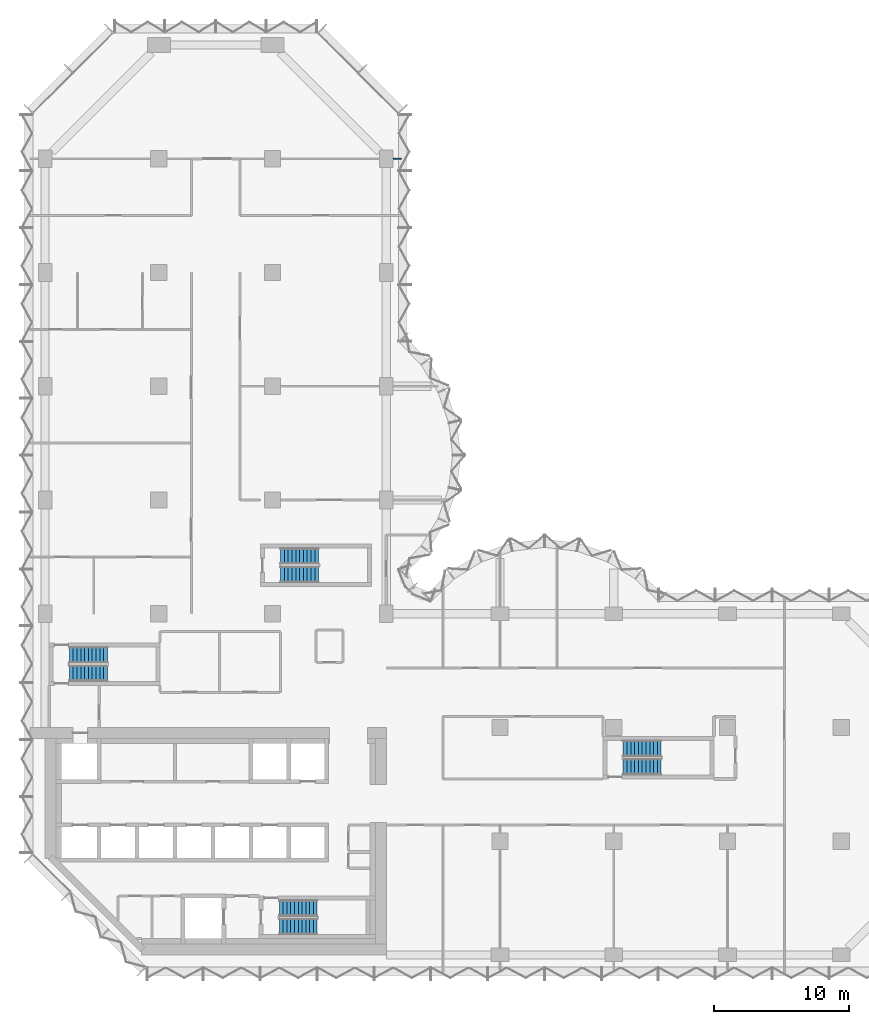
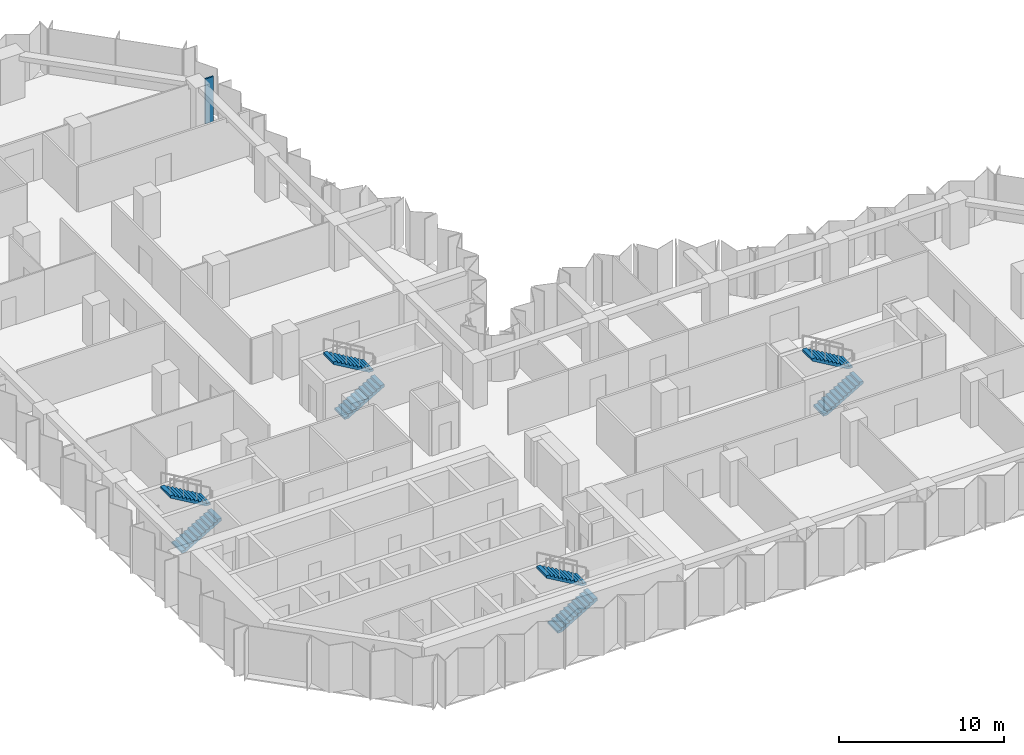
# One storey, part 11 of 13: 8 stair flights, 1 wall, 4 elements without a shape of their own.
"""IFC4 building model written with IfcOpenShell, lengths in metres."""

from ifc_helpers import new_model, si_unit, direction, frame, frame_2d, origin, place, context, subcontext, project, spatial, polyline, rectangle, outline, extrude, material, layer, layer_set, type_object, element, aggregate, save


model = new_model("IFC4")

# Units and contexts
model_context = context("Model", 3, precision=1e-05, world=origin(), true_north=direction((0.0, 1.0)))
body_context = subcontext(model_context, "Body", "Model", "MODEL_VIEW")
ifc_project = project(units=[si_unit("LENGTHUNIT", "METRE"), si_unit("AREAUNIT", "SQUARE_METRE"), si_unit("VOLUMEUNIT", "CUBIC_METRE"), si_unit("PLANEANGLEUNIT", "RADIAN"), si_unit("MASSUNIT", "GRAM", prefix="KILO")], contexts=[model_context])

# Site, building, storey
site_placement = place(None, origin())
site = spatial("IfcSite", under=ifc_project, at=site_placement, CompositionType="ELEMENT")
building_placement = place(site_placement, origin())
building = spatial("IfcBuilding", under=site, at=building_placement, Name="Brevane Broadcast Tower", CompositionType="ELEMENT")
storey_placement = place(building_placement, frame((0.0, 0.0, 116.89990234375)))
storey = spatial("IfcBuildingStorey", under=building, at=storey_placement, Name="L28", CompositionType="ELEMENT", Elevation=116.89990234375)

# Wall
ifc_material_1 = material(Name="Gypsum board partition")
ifc_layer = layer(ifc_material_1, 0.10009765625)
ifc_layer_set = layer_set([ifc_layer], Name="PARTITION 100 STUD")
wall_type = type_object("IfcWallType", Name="PARTITION 100 STUD", PredefinedType="PARTITIONING", material=ifc_layer_set)
wall_placement = place(storey_placement, frame((26.300048828125, 58.800048828125, 0.0), z_axis=(0.0, 0.0, 1.0), x_axis=(-1.0, 0.0, 0.0)))
element("IfcWall", 1, at=wall_placement, inside=storey, type_object=wall_type, Name="Partition G08-055", PredefinedType="PARTITIONING", context=body_context, shape_type="SweptSolid", body=[
    extrude(rectangle(XDim=0.580078125, YDim=0.10009765625, at=frame_2d((0.2900390625, 0.0))), origin(), (0.0, 0.0, 1.0), 3.330078125),
])

# Stair, stair flights
ifc_material_2 = material(Name="Concrete C50/60", Category="concrete")
stair_type = type_object("IfcStairType", Name="Exit stair 22 risers", PredefinedType="HALF_TURN_STAIR", material=ifc_material_2)
stair_1_placement = place(storey_placement, origin())
stair_1 = element("IfcStair", 2, at=stair_1_placement, inside=storey, type_object=stair_type, Name="L28 Exit stair ST-1", PredefinedType="HALF_TURN_STAIR")
stair_flight_type = type_object("IfcStairFlightType", Name="Exit stair flight 22 risers", PredefinedType="STRAIGHT", material=ifc_material_2)
stair_flight_1_placement = place(storey_placement, frame((1.800048828125, 20.800048828125, 0.0), z_axis=(0.0, 0.0, 1.0), x_axis=(1.0, 0.0, 0.0)))
stair_flight_1 = element("IfcStairFlight", 3, at=stair_flight_1_placement, type_object=stair_flight_type, Name="ST-1 flight 1", NumberOfRisers=11, NumberOfTreads=10, PredefinedType="STRAIGHT", RiserHeight=0.163636364, TreadLength=0.28, context=body_context, shape_type="SweptSolid", body=[
    extrude(outline(polyline([(0.0, 0.0), (0.0, 0.16357421875), (0.280029296875, 0.16357421875), (0.280029296875, 0.327392578125), (0.56005859375, 0.327392578125), (0.56005859375, 0.490966796875), (0.840087890625, 0.490966796875), (0.840087890625, 0.654541015625), (1.1201171875, 0.654541015625), (1.1201171875, 0.818115234375), (1.39990234375, 0.818115234375), (1.39990234375, 0.98193359375), (1.679931640625, 0.98193359375), (1.679931640625, 1.1455078125), (1.9599609375, 1.1455078125), (1.9599609375, 1.30908203125), (2.239990234375, 1.30908203125), (2.239990234375, 1.47265625), (2.52001953125, 1.47265625), (2.52001953125, 1.636474609375), (2.800048828125, 1.636474609375), (2.800048828125, 1.800048828125), (2.800048828125, 1.462646484375), (0.297119140625, 0.0), (0.0, 0.0)])), frame((0.0, 0.60009765625, 0.0), z_axis=(0.0, -1.0, 0.0), x_axis=(1.0, 0.0, 0.0)), (0.0, 0.0, 1.0), 1.199951171875),
])
stair_flight_2_placement = place(storey_placement, frame((4.60009765625, 22.14990234375, 1.800048828125), z_axis=(0.0, 0.0, 1.0), x_axis=(-1.0, 0.0, 0.0)))
stair_flight_2 = element("IfcStairFlight", 4, at=stair_flight_2_placement, type_object=stair_flight_type, Name="ST-1 flight 2", NumberOfRisers=11, NumberOfTreads=10, PredefinedType="STRAIGHT", RiserHeight=0.163636364, TreadLength=0.28, context=body_context, shape_type="SweptSolid", body=[
    extrude(outline(polyline([(0.0, 0.0), (0.0, 0.16357421875), (0.280029296875, 0.16357421875), (0.280029296875, 0.327392578125), (0.56005859375, 0.327392578125), (0.56005859375, 0.490966796875), (0.840087890625, 0.490966796875), (0.840087890625, 0.654541015625), (1.1201171875, 0.654541015625), (1.1201171875, 0.818115234375), (1.39990234375, 0.818115234375), (1.39990234375, 0.98193359375), (1.679931640625, 0.98193359375), (1.679931640625, 1.1455078125), (1.9599609375, 1.1455078125), (1.9599609375, 1.30908203125), (2.239990234375, 1.30908203125), (2.239990234375, 1.47265625), (2.52001953125, 1.47265625), (2.52001953125, 1.636474609375), (2.800048828125, 1.636474609375), (2.800048828125, 1.800048828125), (2.800048828125, 1.462646484375), (0.297119140625, 0.0), (0.0, 0.0)])), frame((0.0, 0.60009765625, 0.0), z_axis=(0.0, -1.0, 0.0), x_axis=(1.0, 0.0, 0.0)), (0.0, 0.0, 1.0), 1.199951171875),
])
aggregate(stair_1, [stair_flight_1, stair_flight_2])

stair_2_placement = place(storey_placement, origin())
stair_2 = element("IfcStair", 5, at=stair_2_placement, inside=storey, type_object=stair_type, Name="L28 Exit stair ST-2", PredefinedType="HALF_TURN_STAIR")
stair_flight_3_placement = place(storey_placement, frame((17.300048828125, 2.10009765625, 0.0), z_axis=(0.0, 0.0, 1.0), x_axis=(1.0, 0.0, 0.0)))
stair_flight_3 = element("IfcStairFlight", 6, at=stair_flight_3_placement, type_object=stair_flight_type, Name="ST-2 flight 1", NumberOfRisers=11, NumberOfTreads=10, PredefinedType="STRAIGHT", RiserHeight=0.163636364, TreadLength=0.28, context=body_context, shape_type="SweptSolid", body=[
    extrude(outline(polyline([(0.0, 0.0), (0.0, 0.16357421875), (0.280029296875, 0.16357421875), (0.280029296875, 0.327392578125), (0.56005859375, 0.327392578125), (0.56005859375, 0.490966796875), (0.840087890625, 0.490966796875), (0.840087890625, 0.654541015625), (1.1201171875, 0.654541015625), (1.1201171875, 0.818115234375), (1.39990234375, 0.818115234375), (1.39990234375, 0.98193359375), (1.679931640625, 0.98193359375), (1.679931640625, 1.1455078125), (1.9599609375, 1.1455078125), (1.9599609375, 1.30908203125), (2.239990234375, 1.30908203125), (2.239990234375, 1.47265625), (2.52001953125, 1.47265625), (2.52001953125, 1.636474609375), (2.800048828125, 1.636474609375), (2.800048828125, 1.800048828125), (2.800048828125, 1.462646484375), (0.297119140625, 0.0), (0.0, 0.0)])), frame((0.0, 0.60009765625, 0.0), z_axis=(0.0, -1.0, 0.0), x_axis=(1.0, 0.0, 0.0)), (0.0, 0.0, 1.0), 1.199951171875),
])
stair_flight_4_placement = place(storey_placement, frame((20.10009765625, 3.449951171875, 1.800048828125), z_axis=(0.0, 0.0, 1.0), x_axis=(-1.0, 0.0, 0.0)))
stair_flight_4 = element("IfcStairFlight", 7, at=stair_flight_4_placement, type_object=stair_flight_type, Name="ST-2 flight 2", NumberOfRisers=11, NumberOfTreads=10, PredefinedType="STRAIGHT", RiserHeight=0.163636364, TreadLength=0.28, context=body_context, shape_type="SweptSolid", body=[
    extrude(outline(polyline([(0.0, 0.0), (0.0, 0.16357421875), (0.280029296875, 0.16357421875), (0.280029296875, 0.327392578125), (0.56005859375, 0.327392578125), (0.56005859375, 0.490966796875), (0.840087890625, 0.490966796875), (0.840087890625, 0.654541015625), (1.1201171875, 0.654541015625), (1.1201171875, 0.818115234375), (1.39990234375, 0.818115234375), (1.39990234375, 0.98193359375), (1.679931640625, 0.98193359375), (1.679931640625, 1.1455078125), (1.9599609375, 1.1455078125), (1.9599609375, 1.30908203125), (2.239990234375, 1.30908203125), (2.239990234375, 1.47265625), (2.52001953125, 1.47265625), (2.52001953125, 1.636474609375), (2.800048828125, 1.636474609375), (2.800048828125, 1.800048828125), (2.800048828125, 1.462646484375), (0.297119140625, 0.0), (0.0, 0.0)])), frame((0.0, 0.60009765625, 0.0), z_axis=(0.0, -1.0, 0.0), x_axis=(1.0, 0.0, 0.0)), (0.0, 0.0, 1.0), 1.199951171875),
])
aggregate(stair_2, [stair_flight_3, stair_flight_4])

stair_3_placement = place(storey_placement, origin())
stair_3 = element("IfcStair", 8, at=stair_3_placement, inside=storey, type_object=stair_type, Name="L28 Exit stair ST-3", PredefinedType="HALF_TURN_STAIR")
stair_flight_5_placement = place(storey_placement, frame((17.39990234375, 28.10009765625, 0.0), z_axis=(0.0, 0.0, 1.0), x_axis=(1.0, 0.0, 0.0)))
stair_flight_5 = element("IfcStairFlight", 9, at=stair_flight_5_placement, type_object=stair_flight_type, Name="ST-3 flight 1", NumberOfRisers=11, NumberOfTreads=10, PredefinedType="STRAIGHT", RiserHeight=0.163636364, TreadLength=0.28, context=body_context, shape_type="SweptSolid", body=[
    extrude(outline(polyline([(0.0, 0.0), (0.0, 0.16357421875), (0.280029296875, 0.16357421875), (0.280029296875, 0.327392578125), (0.56005859375, 0.327392578125), (0.56005859375, 0.490966796875), (0.840087890625, 0.490966796875), (0.840087890625, 0.654541015625), (1.1201171875, 0.654541015625), (1.1201171875, 0.818115234375), (1.39990234375, 0.818115234375), (1.39990234375, 0.98193359375), (1.679931640625, 0.98193359375), (1.679931640625, 1.1455078125), (1.9599609375, 1.1455078125), (1.9599609375, 1.30908203125), (2.239990234375, 1.30908203125), (2.239990234375, 1.47265625), (2.52001953125, 1.47265625), (2.52001953125, 1.636474609375), (2.800048828125, 1.636474609375), (2.800048828125, 1.800048828125), (2.800048828125, 1.462646484375), (0.297119140625, 0.0), (0.0, 0.0)])), frame((0.0, 0.60009765625, 0.0), z_axis=(0.0, -1.0, 0.0), x_axis=(1.0, 0.0, 0.0)), (0.0, 0.0, 1.0), 1.199951171875),
])
stair_flight_6_placement = place(storey_placement, frame((20.199951171875, 29.449951171875, 1.800048828125), z_axis=(0.0, 0.0, 1.0), x_axis=(-1.0, 0.0, 0.0)))
stair_flight_6 = element("IfcStairFlight", 10, at=stair_flight_6_placement, type_object=stair_flight_type, Name="ST-3 flight 2", NumberOfRisers=11, NumberOfTreads=10, PredefinedType="STRAIGHT", RiserHeight=0.163636364, TreadLength=0.28, context=body_context, shape_type="SweptSolid", body=[
    extrude(outline(polyline([(0.0, 0.0), (0.0, 0.16357421875), (0.280029296875, 0.16357421875), (0.280029296875, 0.327392578125), (0.56005859375, 0.327392578125), (0.56005859375, 0.490966796875), (0.840087890625, 0.490966796875), (0.840087890625, 0.654541015625), (1.1201171875, 0.654541015625), (1.1201171875, 0.818115234375), (1.39990234375, 0.818115234375), (1.39990234375, 0.98193359375), (1.679931640625, 0.98193359375), (1.679931640625, 1.1455078125), (1.9599609375, 1.1455078125), (1.9599609375, 1.30908203125), (2.239990234375, 1.30908203125), (2.239990234375, 1.47265625), (2.52001953125, 1.47265625), (2.52001953125, 1.636474609375), (2.800048828125, 1.636474609375), (2.800048828125, 1.800048828125), (2.800048828125, 1.462646484375), (0.297119140625, 0.0), (0.0, 0.0)])), frame((0.0, 0.60009765625, 0.0), z_axis=(0.0, -1.0, 0.0), x_axis=(1.0, 0.0, 0.0)), (0.0, 0.0, 1.0), 1.199951171875),
])
aggregate(stair_3, [stair_flight_5, stair_flight_6])

stair_4_placement = place(storey_placement, origin())
stair_4 = element("IfcStair", 11, at=stair_4_placement, inside=storey, type_object=stair_type, Name="L28 Exit stair ST-4", PredefinedType="HALF_TURN_STAIR")
stair_flight_7_placement = place(storey_placement, frame((42.699951171875, 13.89990234375, 0.0), z_axis=(0.0, 0.0, 1.0), x_axis=(1.0, 0.0, 0.0)))
stair_flight_7 = element("IfcStairFlight", 12, at=stair_flight_7_placement, type_object=stair_flight_type, Name="ST-4 flight 1", NumberOfRisers=11, NumberOfTreads=10, PredefinedType="STRAIGHT", RiserHeight=0.163636364, TreadLength=0.28, context=body_context, shape_type="SweptSolid", body=[
    extrude(outline(polyline([(0.0, 0.0), (0.0, 0.16357421875), (0.280029296875, 0.16357421875), (0.280029296875, 0.327392578125), (0.56005859375, 0.327392578125), (0.56005859375, 0.490966796875), (0.840087890625, 0.490966796875), (0.840087890625, 0.654541015625), (1.1201171875, 0.654541015625), (1.1201171875, 0.818115234375), (1.39990234375, 0.818115234375), (1.39990234375, 0.98193359375), (1.679931640625, 0.98193359375), (1.679931640625, 1.1455078125), (1.9599609375, 1.1455078125), (1.9599609375, 1.30908203125), (2.239990234375, 1.30908203125), (2.239990234375, 1.47265625), (2.52001953125, 1.47265625), (2.52001953125, 1.636474609375), (2.800048828125, 1.636474609375), (2.800048828125, 1.800048828125), (2.800048828125, 1.462646484375), (0.297119140625, 0.0), (0.0, 0.0)])), frame((0.0, 0.60009765625, 0.0), z_axis=(0.0, -1.0, 0.0), x_axis=(1.0, 0.0, 0.0)), (0.0, 0.0, 1.0), 1.199951171875),
])
stair_flight_8_placement = place(storey_placement, frame((45.5, 15.25, 1.800048828125), z_axis=(0.0, 0.0, 1.0), x_axis=(-1.0, 0.0, 0.0)))
stair_flight_8 = element("IfcStairFlight", 13, at=stair_flight_8_placement, type_object=stair_flight_type, Name="ST-4 flight 2", NumberOfRisers=11, NumberOfTreads=10, PredefinedType="STRAIGHT", RiserHeight=0.163636364, TreadLength=0.28, context=body_context, shape_type="SweptSolid", body=[
    extrude(outline(polyline([(0.0, 0.0), (0.0, 0.16357421875), (0.280029296875, 0.16357421875), (0.280029296875, 0.327392578125), (0.56005859375, 0.327392578125), (0.56005859375, 0.490966796875), (0.840087890625, 0.490966796875), (0.840087890625, 0.654541015625), (1.1201171875, 0.654541015625), (1.1201171875, 0.818115234375), (1.39990234375, 0.818115234375), (1.39990234375, 0.98193359375), (1.679931640625, 0.98193359375), (1.679931640625, 1.1455078125), (1.9599609375, 1.1455078125), (1.9599609375, 1.30908203125), (2.239990234375, 1.30908203125), (2.239990234375, 1.47265625), (2.52001953125, 1.47265625), (2.52001953125, 1.636474609375), (2.800048828125, 1.636474609375), (2.800048828125, 1.800048828125), (2.800048828125, 1.462646484375), (0.297119140625, 0.0), (0.0, 0.0)])), frame((0.0, 0.60009765625, 0.0), z_axis=(0.0, -1.0, 0.0), x_axis=(1.0, 0.0, 0.0)), (0.0, 0.0, 1.0), 1.199951171875),
])
aggregate(stair_4, [stair_flight_7, stair_flight_8])

save(model, "model.ifc")
